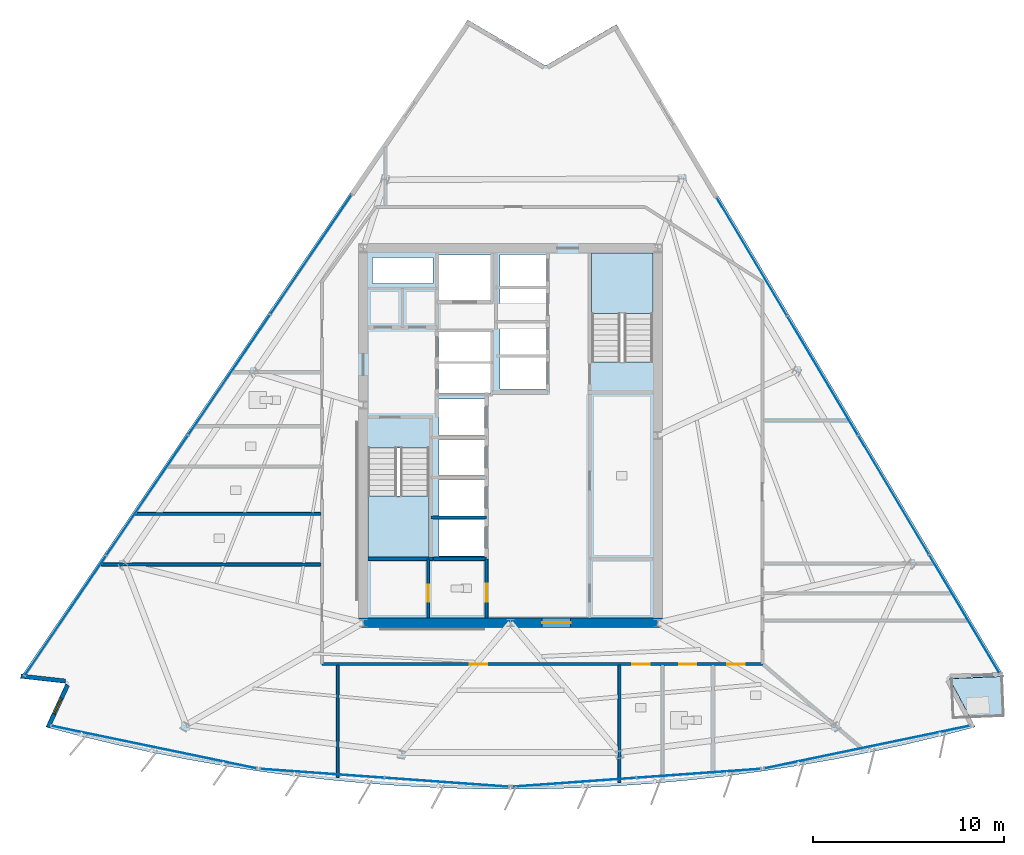
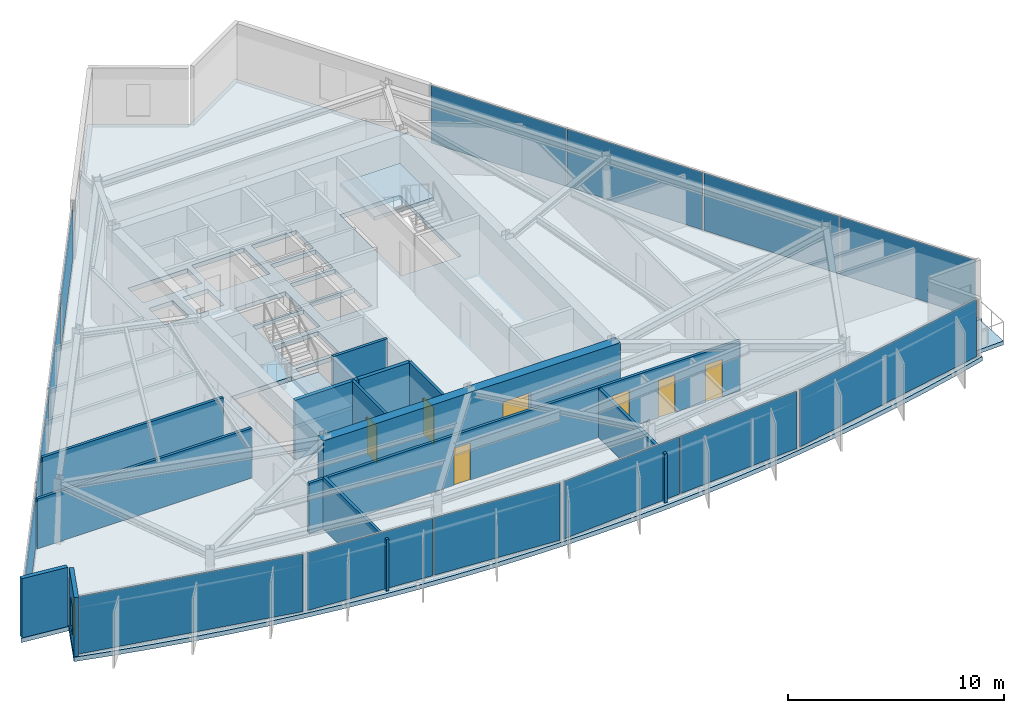
# One storey, part 7 of 15: 14 plates, 13 walls, 7 doors, 4 slabs, 1 window, 8 openings, 8 elements without a shape of their own.
"""IFC4 building model written with IfcOpenShell, lengths in metres."""

from ifc_helpers import new_model, si_unit, direction, frame, frame_2d, origin, origin_2d, place, context, subcontext, project, spatial, polyline, rectangle, outline, extrude, material, layer, layer_set, type_object, element, fill, aggregate, save


model = new_model("IFC4")

# Units and contexts
model_context = context("Model", 3, precision=1e-05, world=origin(), true_north=direction((0.0, 1.0)))
body_context = subcontext(model_context, "Body", "Model", "MODEL_VIEW")
ifc_project = project(units=[si_unit("LENGTHUNIT", "METRE"), si_unit("AREAUNIT", "SQUARE_METRE"), si_unit("VOLUMEUNIT", "CUBIC_METRE"), si_unit("PLANEANGLEUNIT", "RADIAN"), si_unit("MASSUNIT", "GRAM", prefix="KILO")], contexts=[model_context])

# Site, building, storey
site_placement = place(None, origin())
site = spatial("IfcSite", under=ifc_project, at=site_placement, CompositionType="ELEMENT")
building_placement = place(site_placement, origin())
building = spatial("IfcBuilding", under=site, at=building_placement, Name="Savorim Split Tower", CompositionType="ELEMENT")
storey_placement = place(building_placement, frame((0.0, 0.0, 194.699951171875)))
storey = spatial("IfcBuildingStorey", under=building, at=storey_placement, Name="L51", CompositionType="ELEMENT", Elevation=194.699951171875)

# Curtain wall, plate
ifc_material_1 = material(Name="Dark Ceramic-Fritted Insulated Glass", Category="glass")
curtain_wall_type = type_object("IfcCurtainWallType", Name="CW-TWR-FRIT-B", PredefinedType="NOTDEFINED", material=ifc_material_1)
curtain_wall_1_placement = place(storey_placement, origin())
curtain_wall_1 = element("IfcCurtainWall", 1, at=curtain_wall_1_placement, inside=storey, type_object=curtain_wall_type, Name="L51 Curtain Wall CW-L51-SF1", PredefinedType="NOTDEFINED")
ifc_layer_1 = layer(ifc_material_1, 0.02587890625)
ifc_layer_set_1 = layer_set([ifc_layer_1], Name="CWP-FRITB-26")
plate_type = type_object("IfcPlateType", Name="CWP-FRITB-26", PredefinedType="CURTAIN_PANEL", material=ifc_layer_set_1)
plate_1_placement = place(storey_placement, frame((-18.65283203125, -15.901123046875, 0.050048828125), z_axis=(0.0, 0.0, 1.0), x_axis=(0.979135601511, -0.203207957161, 0.0)))
plate_1 = element("IfcPlate", 2, at=plate_1_placement, type_object=plate_type, Name="CW-03 panel 1.1", PredefinedType="CURTAIN_PANEL", context=body_context, shape_type="SweptSolid", body=[
    extrude(rectangle(XDim=10.946533203125, YDim=0.02587890625, at=origin_2d()), origin(), (0.0, 0.0, 1.0), 3.25),
])
aggregate(curtain_wall_1, [plate_1])

# Curtain wall, plates
curtain_wall_2_placement = place(storey_placement, origin())
curtain_wall_2 = element("IfcCurtainWall", 3, at=curtain_wall_2_placement, inside=storey, type_object=curtain_wall_type, Name="L51 Curtain Wall CW-L51-SF2", PredefinedType="NOTDEFINED")
plate_2_placement = place(storey_placement, frame((-9.846923828125, -17.275634765625, 0.050048828125), z_axis=(0.0, 0.0, 1.0), x_axis=(0.997436161804, -0.071561883187, 0.0)))
plate_2 = element("IfcPlate", 4, at=plate_2_placement, type_object=plate_type, Name="CW-03 panel 1.1", PredefinedType="CURTAIN_PANEL", context=body_context, shape_type="SweptSolid", body=[
    extrude(rectangle(XDim=6.46728515625, YDim=0.02587890625, at=origin_2d()), origin(), (0.0, 0.0, 1.0), 3.25),
])
plate_3_placement = place(storey_placement, frame((-3.33642578125, -17.74267578125, 0.050048828125), z_axis=(0.0, 0.0, 1.0), x_axis=(0.997436161804, -0.071561883187, 0.0)))
plate_3 = element("IfcPlate", 5, at=plate_3_placement, type_object=plate_type, Name="CW-03 panel 2.1", PredefinedType="CURTAIN_PANEL", context=body_context, shape_type="SweptSolid", body=[
    extrude(rectangle(XDim=6.46728515625, YDim=0.02587890625, at=origin_2d()), origin(), (0.0, 0.0, 1.0), 3.25),
])
aggregate(curtain_wall_2, [plate_2, plate_3])

curtain_wall_3_placement = place(storey_placement, origin())
curtain_wall_3 = element("IfcCurtainWall", 6, at=curtain_wall_3_placement, inside=storey, type_object=curtain_wall_type, Name="L51 Curtain Wall CW-L51-SF3", PredefinedType="NOTDEFINED")
plate_4_placement = place(storey_placement, frame((3.33642578125, -17.74267578125, 0.050048828125), z_axis=(0.0, 0.0, 1.0), x_axis=(0.997436161804, 0.071561883187, 0.0)))
plate_4 = element("IfcPlate", 7, at=plate_4_placement, type_object=plate_type, Name="CW-03 panel 1.1", PredefinedType="CURTAIN_PANEL", context=body_context, shape_type="SweptSolid", body=[
    extrude(rectangle(XDim=6.46728515625, YDim=0.02587890625, at=origin_2d()), origin(), (0.0, 0.0, 1.0), 3.25),
])
plate_5_placement = place(storey_placement, frame((9.846923828125, -17.275634765625, 0.050048828125), z_axis=(0.0, 0.0, 1.0), x_axis=(0.997436161804, 0.071561883187, 0.0)))
plate_5 = element("IfcPlate", 8, at=plate_5_placement, type_object=plate_type, Name="CW-03 panel 2.1", PredefinedType="CURTAIN_PANEL", context=body_context, shape_type="SweptSolid", body=[
    extrude(rectangle(XDim=6.46728515625, YDim=0.02587890625, at=origin_2d()), origin(), (0.0, 0.0, 1.0), 3.25),
])
aggregate(curtain_wall_3, [plate_4, plate_5])

# Curtain wall, plate
curtain_wall_4_placement = place(storey_placement, origin())
curtain_wall_4 = element("IfcCurtainWall", 9, at=curtain_wall_4_placement, inside=storey, type_object=curtain_wall_type, Name="L51 Curtain Wall CW-L51-SF4", PredefinedType="NOTDEFINED")
plate_6_placement = place(storey_placement, frame((18.65283203125, -15.901123046875, 0.050048828125), z_axis=(0.0, 0.0, 1.0), x_axis=(0.979135601511, 0.203207957161, 0.0)))
plate_6 = element("IfcPlate", 10, at=plate_6_placement, type_object=plate_type, Name="CW-03 panel 1.1", PredefinedType="CURTAIN_PANEL", context=body_context, shape_type="SweptSolid", body=[
    extrude(rectangle(XDim=10.946533203125, YDim=0.02587890625, at=origin_2d()), origin(), (0.0, 0.0, 1.0), 3.25),
])
aggregate(curtain_wall_4, [plate_6])

# Curtain wall, plates
curtain_wall_5_placement = place(storey_placement, origin())
curtain_wall_5 = element("IfcCurtainWall", 11, at=curtain_wall_5_placement, inside=storey, type_object=curtain_wall_type, Name="L51 Curtain Wall CW-L51-EAST", PredefinedType="NOTDEFINED")
plate_7_placement = place(storey_placement, frame((23.739013671875, -8.941162109375, 0.050048828125), z_axis=(0.0, 0.0, 1.0), x_axis=(-0.511092175308, 0.859525909056, 0.0)))
plate_7 = element("IfcPlate", 12, at=plate_7_placement, type_object=plate_type, Name="CW-03 panel 1.1", PredefinedType="CURTAIN_PANEL", context=body_context, shape_type="SweptSolid", body=[
    extrude(rectangle(XDim=7.167724609375, YDim=0.02587890625, at=origin_2d()), origin(), (0.0, 0.0, 1.0), 3.25),
])
plate_8_placement = place(storey_placement, frame((20.037353515625, -2.7158203125, 0.050048828125), z_axis=(0.0, 0.0, 1.0), x_axis=(-0.511092175308, 0.859525909056, 0.0)))
plate_8 = element("IfcPlate", 13, at=plate_8_placement, type_object=plate_type, Name="CW-03 panel 2.1", PredefinedType="CURTAIN_PANEL", context=body_context, shape_type="SweptSolid", body=[
    extrude(rectangle(XDim=7.19775390625, YDim=0.02587890625, at=origin_2d()), origin(), (0.0, 0.0, 1.0), 3.25),
])
plate_9_placement = place(storey_placement, frame((16.328125, 3.522216796875, 0.050048828125), z_axis=(0.0, 0.0, 1.0), x_axis=(-0.511092175308, 0.859525909056, 0.0)))
plate_9 = element("IfcPlate", 14, at=plate_9_placement, type_object=plate_type, Name="CW-03 panel 3.1", PredefinedType="CURTAIN_PANEL", context=body_context, shape_type="SweptSolid", body=[
    extrude(rectangle(XDim=7.19775390625, YDim=0.02587890625, at=origin_2d()), origin(), (0.0, 0.0, 1.0), 3.25),
])
plate_10_placement = place(storey_placement, frame((12.626220703125, 9.74755859375, 0.050048828125), z_axis=(0.0, 0.0, 1.0), x_axis=(-0.511092175308, 0.859525909056, 0.0)))
plate_10 = element("IfcPlate", 15, at=plate_10_placement, type_object=plate_type, Name="CW-03 panel 4.1", PredefinedType="CURTAIN_PANEL", context=body_context, shape_type="SweptSolid", body=[
    extrude(rectangle(XDim=7.167724609375, YDim=0.02587890625, at=origin_2d()), origin(), (0.0, 0.0, 1.0), 3.25),
])
aggregate(curtain_wall_5, [plate_7, plate_8, plate_9, plate_10])

curtain_wall_6_placement = place(storey_placement, origin())
curtain_wall_6 = element("IfcCurtainWall", 16, at=curtain_wall_6_placement, inside=storey, type_object=curtain_wall_type, Name="L51 Curtain Wall CW-L51-WEST", PredefinedType="NOTDEFINED")
plate_11_placement = place(storey_placement, frame((-10.436279296875, 9.86181640625, 0.050048828125), z_axis=(0.0, 0.0, 1.0), x_axis=(-0.562465276773, -0.826820907104, 0.0)))
plate_11 = element("IfcPlate", 17, at=plate_11_placement, type_object=plate_type, Name="CW-03 panel 1.1", PredefinedType="CURTAIN_PANEL", context=body_context, shape_type="SweptSolid", body=[
    extrude(rectangle(XDim=7.533447265625, YDim=0.02587890625, at=origin_2d()), origin(), (0.0, 0.0, 1.0), 3.25),
])
plate_12_placement = place(storey_placement, frame((-14.7158203125, 3.571044921875, 0.050048828125), z_axis=(0.0, 0.0, 1.0), x_axis=(-0.562465276773, -0.826820907104, 0.0)))
plate_12 = element("IfcPlate", 18, at=plate_12_placement, type_object=plate_type, Name="CW-03 panel 2.1", PredefinedType="CURTAIN_PANEL", context=body_context, shape_type="SweptSolid", body=[
    extrude(rectangle(XDim=7.5634765625, YDim=0.02587890625, at=origin_2d()), origin(), (0.0, 0.0, 1.0), 3.25),
])
plate_13_placement = place(storey_placement, frame((-19.003662109375, -2.732421875, 0.050048828125), z_axis=(0.0, 0.0, 1.0), x_axis=(-0.562465276773, -0.826820907104, 0.0)))
plate_13 = element("IfcPlate", 19, at=plate_13_placement, type_object=plate_type, Name="CW-03 panel 3.1", PredefinedType="CURTAIN_PANEL", context=body_context, shape_type="SweptSolid", body=[
    extrude(rectangle(XDim=7.5634765625, YDim=0.02587890625, at=origin_2d()), origin(), (0.0, 0.0, 1.0), 3.25),
])
plate_14_placement = place(storey_placement, frame((-23.283203125, -9.023193359375, 0.050048828125), z_axis=(0.0, 0.0, 1.0), x_axis=(-0.562465276773, -0.826820907104, 0.0)))
plate_14 = element("IfcPlate", 20, at=plate_14_placement, type_object=plate_type, Name="CW-03 panel 4.1", PredefinedType="CURTAIN_PANEL", context=body_context, shape_type="SweptSolid", body=[
    extrude(rectangle(XDim=7.533447265625, YDim=0.02587890625, at=origin_2d()), origin(), (0.0, 0.0, 1.0), 3.25),
])
aggregate(curtain_wall_6, [plate_11, plate_12, plate_13, plate_14])

# Slab
ifc_material_2 = material(Name="Concrete C50/60", Category="concrete")
ifc_layer_2 = layer(ifc_material_2, 0.219970703125)
ifc_layer_set_2 = layer_set([ifc_layer_2], Name="SLB-BAL-220")
slab_type_1 = type_object("IfcSlabType", Name="SLB-BAL-220", PredefinedType="FLOOR", material=ifc_layer_set_2)
slab_1_placement = place(storey_placement, frame((0.0, 0.0, -0.219970703125)))
element("IfcSlab", 21, at=slab_1_placement, inside=storey, type_object=slab_type_1, Name="L51 Notched Corner Planted Tree Balcony Slab", PredefinedType="FLOOR", context=body_context, shape_type="SweptSolid", body=[
    extrude(outline(polyline([(25.697265625, -12.2109375), (23.07470703125, -12.322509765625), (23.08447265625, -12.55419921875), (24.036376953125, -14.32861328125), (25.7841796875, -14.254150390625), (25.697265625, -12.2109375)])), origin(), (0.0, 0.0, 1.0), 0.219970703125),
])

# Stair, slab
stair_type = type_object("IfcStairType", Name="STR-DOG-3600", PredefinedType="HALF_TURN_STAIR", material=ifc_material_2)
stair_1_placement = place(storey_placement, origin())
stair_1 = element("IfcStair", 22, at=stair_1_placement, inside=storey, type_object=stair_type, Name="L51 Core Protected Exit Stair ST-1", PredefinedType="HALF_TURN_STAIR")
ifc_layer_3 = layer(ifc_material_2, 0.199951171875)
ifc_layer_set_3 = layer_set([ifc_layer_3], Name="SLB-LND-200")
slab_type_2 = type_object("IfcSlabType", Name="SLB-LND-200", PredefinedType="LANDING", material=ifc_layer_set_3)
slab_2_placement = place(storey_placement, frame((0.0, 0.0, 1.60009765625)))
slab_2 = element("IfcSlab", 23, at=slab_2_placement, type_object=slab_type_2, Name="ST-1 landing 1", PredefinedType="LANDING", context=body_context, shape_type="SweptSolid", body=[
    extrude(outline(polyline([(-7.449951171875, -2.77001953125), (-7.449951171875, -5.949951171875), (-4.25, -5.949951171875), (-4.25, -2.77001953125), (-7.449951171875, -2.77001953125)])), origin(), (0.0, 0.0, 1.0), 0.199951171875),
])
aggregate(stair_1, [slab_2])

stair_2_placement = place(storey_placement, origin())
stair_2 = element("IfcStair", 24, at=stair_2_placement, inside=storey, type_object=stair_type, Name="L51 Core Protected Exit Stair ST-2", PredefinedType="HALF_TURN_STAIR")
slab_3_placement = place(storey_placement, frame((0.0, 0.0, 1.60009765625)))
slab_3 = element("IfcSlab", 25, at=slab_3_placement, type_object=slab_type_2, Name="ST-2 landing 1", PredefinedType="LANDING", context=body_context, shape_type="SweptSolid", body=[
    extrude(outline(polyline([(7.449951171875, 6.77001953125), (7.449951171875, 9.949951171875), (4.25, 9.949951171875), (4.25, 6.77001953125), (7.449951171875, 6.77001953125)])), origin(), (0.0, 0.0, 1.0), 0.199951171875),
])
aggregate(stair_2, [slab_3])

# Slab
ifc_layer_4 = layer(ifc_material_2, 0.25)
ifc_layer_set_4 = layer_set([ifc_layer_4], Name="SLB-TWR-250")
slab_type_3 = type_object("IfcSlabType", Name="SLB-TWR-250", PredefinedType="FLOOR", material=ifc_layer_set_4)
slab_4_placement = place(storey_placement, frame((0.0, 0.0, -0.25)))
element("IfcSlab", 26, at=slab_4_placement, inside=storey, type_object=slab_type_3, Name="L51 Structural Floor Slab", PredefinedType="FLOOR", context=body_context, shape_type="SweptSolid", body=[
    extrude(outline(polyline([(-24.310302734375, -14.849609375), (-22.479736328125, -15.328369140625), (-20.6396484375, -15.76953125), (-18.791015625, -16.173095703125), (-16.934326171875, -16.53857421875), (-15.070556640625, -16.865966796875), (-13.20068359375, -17.1552734375), (-11.3251953125, -17.40625), (-9.44482421875, -17.618896484375), (-7.560546875, -17.792724609375), (-5.673095703125, -17.92822265625), (-3.783447265625, -18.02490234375), (-1.89208984375, -18.0830078125), (0.0, -18.102294921875), (1.89208984375, -18.0830078125), (3.783447265625, -18.02490234375), (5.673095703125, -17.92822265625), (7.560546875, -17.792724609375), (9.44482421875, -17.618896484375), (11.3251953125, -17.40625), (13.20068359375, -17.1552734375), (15.070556640625, -16.865966796875), (16.934326171875, -16.53857421875), (18.791015625, -16.173095703125), (20.6396484375, -15.76953125), (22.479736328125, -15.328369140625), (24.310302734375, -14.849609375), (22.95458984375, -12.32275390625), (25.81689453125, -12.200927734375), (5.54150390625, 21.897216796875), (1.84033203125, 19.739990234375), (-2.23291015625, 22.134033203125), (-25.65869140625, -12.3017578125), (-23.2626953125, -12.569091796875), (-24.310302734375, -14.849609375)]), holes=[polyline([(-7.449951171875, -0.25390625), (-7.449951171875, -5.949951171875), (-4.25, -5.949951171875), (-4.25, -0.25390625), (-7.449951171875, -0.25390625)]), polyline([(7.449951171875, 4.25390625), (7.449951171875, 9.949951171875), (4.25, 9.949951171875), (4.25, 4.25390625), (7.449951171875, 4.25390625)]), polyline([(-3.75, -5.89990234375), (-1.35009765625, -5.89990234375), (-1.35009765625, -4.0), (-3.75, -4.0), (-3.75, -5.89990234375)]), polyline([(-3.75, -3.800048828125), (-1.35009765625, -3.800048828125), (-1.35009765625, -1.89990234375), (-3.75, -1.89990234375), (-3.75, -3.800048828125)]), polyline([(-3.75, -1.699951171875), (-1.35009765625, -1.699951171875), (-1.35009765625, 0.199951171875), (-3.75, 0.199951171875), (-3.75, -1.699951171875)]), polyline([(-3.75, 0.39990234375), (-1.35009765625, 0.39990234375), (-1.35009765625, 2.300048828125), (-3.75, 2.300048828125), (-3.75, 0.39990234375)]), polyline([(-0.550048828125, 2.830078125), (1.85009765625, 2.830078125), (1.85009765625, 4.469970703125), (-0.550048828125, 4.469970703125), (-0.550048828125, 2.830078125)]), polyline([(-0.550048828125, 4.6298828125), (1.85009765625, 4.6298828125), (1.85009765625, 6.27001953125), (-0.550048828125, 6.27001953125), (-0.550048828125, 4.6298828125)]), polyline([(-0.550048828125, 6.429931640625), (1.85009765625, 6.429931640625), (1.85009765625, 8.070068359375), (-0.550048828125, 8.070068359375), (-0.550048828125, 6.429931640625)]), polyline([(-0.550048828125, 8.22998046875), (1.85009765625, 8.22998046875), (1.85009765625, 9.8701171875), (-0.550048828125, 9.8701171875), (-0.550048828125, 8.22998046875)]), polyline([(-3.75, 2.60009765625), (-1.050048828125, 2.60009765625), (-1.050048828125, 4.159912109375), (-3.75, 4.159912109375), (-3.75, 2.60009765625)]), polyline([(-3.75, 4.280029296875), (-1.050048828125, 4.280029296875), (-1.050048828125, 5.840087890625), (-3.75, 5.840087890625), (-3.75, 4.280029296875)]), polyline([(-3.75, 7.449951171875), (-0.949951171875, 7.449951171875), (-0.949951171875, 9.85009765625), (-3.75, 9.85009765625), (-3.75, 7.449951171875)]), polyline([(-7.219970703125, 6.320068359375), (-5.919921875, 6.320068359375), (-5.919921875, 7.820068359375), (-7.219970703125, 7.820068359375), (-7.219970703125, 6.320068359375)]), polyline([(-5.3798828125, 6.320068359375), (-4.050048828125, 6.320068359375), (-4.050048828125, 7.820068359375), (-5.3798828125, 7.820068359375), (-5.3798828125, 6.320068359375)]), polyline([(-7.219970703125, 8.360107421875), (-4.050048828125, 8.360107421875), (-4.050048828125, 9.719970703125), (-7.219970703125, 9.719970703125), (-7.219970703125, 8.360107421875)])]), origin(), (0.0, 0.0, 1.0), 0.25),
])

# Wall, opening, door
ifc_material_3 = material(Name="Concrete C60/75", Category="concrete")
ifc_layer_5 = layer(ifc_material_3, 0.5)
ifc_layer_set_5 = layer_set([ifc_layer_5], Name="WAL-COR-SH500")
wall_type_1 = type_object("IfcWallType", Name="WAL-COR-SH500", PredefinedType="SHEAR", material=ifc_layer_set_5)
wall_1_placement = place(storey_placement, frame((-7.949951171875, -9.39990234375, 0.0), z_axis=(0.0, 0.0, 1.0), x_axis=(1.0, 0.0, 0.0)))
wall_1 = element("IfcWall", 27, at=wall_1_placement, inside=storey, type_object=wall_type_1, Name="L51 Offset Core South Shear Wall", PredefinedType="SHEAR", context=body_context, shape_type="SweptSolid", body=[
    extrude(rectangle(XDim=15.89990234375, YDim=0.5, at=frame_2d((7.949951171875, 0.0))), origin(), (0.0, 0.0, 1.0), 3.35009765625),
])
opening_1_placement = place(wall_1_placement, frame((9.60009765625, 0.0, 0.0)))
opening_1 = element("IfcOpeningElement", 28, at=opening_1_placement, cuts=wall_1, Name="Opening DI-02", PredefinedType="OPENING", context=body_context, shape_type="SweptSolid", body=[
    extrude(rectangle(XDim=1.5, YDim=2.199951171875, at=frame_2d((0.75, 1.10009765625))), frame((0.0, 0.260009765625, 0.0), z_axis=(0.0, -1.0, 0.0), x_axis=(1.0, 0.0, 0.0)), (0.0, 0.0, 1.0), 0.52001953125),
])
ifc_material_4 = material(Name="Timber Fire Door Leaf", Category="wood")
door_type_1 = type_object("IfcDoorType", Name="DOR-DBL-1500", OperationType="NOTDEFINED", PredefinedType="DOOR", material=ifc_material_4)
door_1_placement = place(opening_1_placement, origin())
door_1 = element("IfcDoor", 29, at=door_1_placement, inside=storey, type_object=door_type_1, Name="DOR-L51-COR-LLOB - L51 Lift Lobby Main Rated Door", OperationType="DOUBLE_DOOR_SINGLE_SWING", OverallHeight=2.199951171875, OverallWidth=1.5, PredefinedType="DOOR", context=body_context, shape_type="SweptSolid", body=[
    extrude(rectangle(XDim=1.5, YDim=2.199951171875, at=frame_2d((0.75, 1.10009765625))), frame((0.0, 0.02490234375, 0.0), z_axis=(0.0, -1.0, 0.0), x_axis=(1.0, 0.0, 0.0)), (0.0, 0.0, 1.0), 0.050048828125),
])
fill(opening_1, door_1)

# Wall
ifc_material_5 = material(Name="Precast concrete C40/50", Category="concrete")
ifc_layer_6 = layer(ifc_material_5, 0.219970703125)
ifc_layer_set_6 = layer_set([ifc_layer_6], Name="WAL-EXT-CRN220")
wall_type_2 = type_object("IfcWallType", Name="WAL-EXT-CRN220", PredefinedType="SOLIDWALL", material=ifc_layer_set_6)
wall_2_placement = place(storey_placement, frame((-23.2890625, -12.445556640625, 0.0), z_axis=(0.0, 0.0, 1.0), x_axis=(-0.993829972675, 0.110914315635, 0.0)))
element("IfcWall", 30, at=wall_2_placement, inside=storey, type_object=wall_type_2, Name="L51 Notched Corner Facade Wall SW1", PredefinedType="SOLIDWALL", context=body_context, shape_type="SweptSolid", body=[
    extrude(rectangle(XDim=2.3310546875, YDim=0.219970703125, at=frame_2d((1.16552734375, 0.0))), origin(), (0.0, 0.0, 1.0), 3.35009765625),
])

# Wall, opening, window
wall_3_placement = place(storey_placement, frame((-24.184814453125, -14.86328125, 0.0), z_axis=(0.0, 0.0, 1.0), x_axis=(0.417509141111, 0.90867272276, 0.0)))
wall_3 = element("IfcWall", 31, at=wall_3_placement, inside=storey, type_object=wall_type_2, Name="L51 Notched Corner Facade Wall SW", PredefinedType="SOLIDWALL", context=body_context, shape_type="SweptSolid", body=[
    extrude(rectangle(XDim=2.4296875, YDim=0.219970703125, at=frame_2d((1.21484375, 0.0))), origin(), (0.0, 0.0, 1.0), 3.35009765625),
])
opening_2_placement = place(wall_3_placement, frame((0.764892578125, 0.0, 0.6201171875)))
opening_2 = element("IfcOpeningElement", 32, at=opening_2_placement, cuts=wall_3, Name="Opening WN-10", PredefinedType="OPENING", context=body_context, shape_type="SweptSolid", body=[
    extrude(rectangle(XDim=0.89990234375, YDim=1.60009765625, at=frame_2d((0.449951171875, 0.800048828125))), frame((0.0, 0.119873046875, 0.0), z_axis=(0.0, -1.0, 0.0), x_axis=(1.0, 0.0, 0.0)), (0.0, 0.0, 1.0), 0.239990234375),
])
ifc_material_6 = material(Name="Low-E Operable Double Glazing", Category="glass")
window_type = type_object("IfcWindowType", Name="WIN-TWR-900x1600", PartitioningType="SINGLE_PANEL", PredefinedType="WINDOW", material=ifc_material_6)
window_placement = place(opening_2_placement, origin())
window = element("IfcWindow", 33, at=window_placement, inside=storey, type_object=window_type, Name="L51 Operable Corner Window SW", OverallHeight=1.60009765625, OverallWidth=0.89990234375, PartitioningType="SINGLE_PANEL", PredefinedType="WINDOW", context=body_context, shape_type="SweptSolid", body=[
    extrude(rectangle(XDim=0.89990234375, YDim=1.60009765625, at=frame_2d((0.449951171875, 0.800048828125))), frame((0.0, 0.030029296875, 0.0), z_axis=(0.0, -1.0, 0.0), x_axis=(1.0, 0.0, 0.0)), (0.0, 0.0, 1.0), 0.06005859375),
])
fill(opening_2, window)

# Walls
ifc_layer_7 = layer(ifc_material_2, 0.199951171875)
ifc_layer_set_7 = layer_set([ifc_layer_7], Name="WAL-INT-RC200")
wall_type_3 = type_object("IfcWallType", Name="WAL-INT-RC200", PredefinedType="SOLIDWALL", material=ifc_layer_set_7)
wall_4_placement = place(storey_placement, frame((-7.449951171875, -6.050048828125, 0.0), z_axis=(0.0, 0.0, 1.0), x_axis=(1.0, 0.0, 0.0)))
element("IfcWall", 34, at=wall_4_placement, inside=storey, type_object=wall_type_3, Name="L51 Structural Shaft Wall W-L51-KSEP-W", PredefinedType="SOLIDWALL", context=body_context, shape_type="SweptSolid", body=[
    extrude(rectangle(XDim=3.39990234375, YDim=0.199951171875, at=frame_2d((1.699951171875, 0.0))), origin(), (0.0, 0.0, 1.0), 3.35009765625),
])
wall_5_placement = place(storey_placement, frame((-4.0400390625, -6.050048828125, 0.0), z_axis=(0.0, 0.0, 1.0), x_axis=(1.0, 0.0, 0.0)))
element("IfcWall", 35, at=wall_5_placement, inside=storey, type_object=wall_type_3, Name="L51 Partition W-L51-KSEP-W2", PredefinedType="SOLIDWALL", context=body_context, shape_type="SweptSolid", body=[
    extrude(rectangle(XDim=2.7900390625, YDim=0.199951171875, at=frame_2d((1.39501953125, 0.0))), origin(), (0.0, 0.0, 1.0), 3.35009765625),
])
ifc_material_7 = material(Name="Acoustic Gypsum Partition Board")
ifc_layer_8 = layer(ifc_material_7, 0.14990234375)
ifc_layer_set_8 = layer_set([ifc_layer_8], Name="WAL-PAR-150")
wall_type_4 = type_object("IfcWallType", Name="WAL-PAR-150", PredefinedType="PARTITIONING", material=ifc_layer_set_8)
wall_6_placement = place(storey_placement, frame((-4.14990234375, -3.89990234375, 0.0), z_axis=(0.0, 0.0, 1.0), x_axis=(1.0, 0.0, 0.0)))
element("IfcWall", 36, at=wall_6_placement, inside=storey, type_object=wall_type_4, Name="L51 Partition W-L51-B2DIV1", PredefinedType="PARTITIONING", context=body_context, shape_type="SweptSolid", body=[
    extrude(rectangle(XDim=2.89990234375, YDim=0.14990234375, at=frame_2d((1.449951171875, 0.0))), origin(), (0.0, 0.0, 1.0), 3.35009765625),
])

# Wall, opening, door
wall_7_placement = place(storey_placement, frame((-1.25, -9.14501953125, 0.0), z_axis=(0.0, 0.0, 1.0), x_axis=(0.0, 1.0, 0.0)))
wall_7 = element("IfcWall", 37, at=wall_7_placement, inside=storey, type_object=wall_type_4, Name="L51 Partition W-L51-KLOB-W", PredefinedType="PARTITIONING", context=body_context, shape_type="SweptSolid", body=[
    extrude(rectangle(XDim=3.094970703125, YDim=0.14990234375, at=frame_2d((1.54736328125, 0.0))), origin(), (0.0, 0.0, 1.0), 3.35009765625),
])
opening_3_placement = place(wall_7_placement, frame((0.844970703125, 0.0, 0.0)))
opening_3 = element("IfcOpeningElement", 38, at=opening_3_placement, cuts=wall_7, Name="Opening DI-10", PredefinedType="OPENING", context=body_context, shape_type="SweptSolid", body=[
    extrude(rectangle(XDim=0.949951171875, YDim=2.10009765625, at=frame_2d((0.47509765625, 1.050048828125))), frame((0.0, 0.0849609375, 0.0), z_axis=(0.0, -1.0, 0.0), x_axis=(1.0, 0.0, 0.0)), (0.0, 0.0, 1.0), 0.169921875),
])
ifc_material_8 = material(Name="Oak Veneer Acoustic Door")
door_type_2 = type_object("IfcDoorType", Name="DOR-WC-950", OperationType="NOTDEFINED", PredefinedType="DOOR", material=ifc_material_8)
door_2_placement = place(opening_3_placement, origin())
door_2 = element("IfcDoor", 39, at=door_2_placement, inside=storey, type_object=door_type_2, Name="DR-L51-K1WC - L51 Core Accessible WC Door", OperationType="SINGLE_SWING_LEFT", OverallHeight=2.10009765625, OverallWidth=0.949951171875, PredefinedType="DOOR", context=body_context, shape_type="SweptSolid", body=[
    extrude(rectangle(XDim=0.949951171875, YDim=2.10009765625, at=frame_2d((0.47509765625, 1.050048828125))), frame((0.0, 0.02490234375, 0.0), z_axis=(0.0, -1.0, 0.0), x_axis=(1.0, 0.0, 0.0)), (0.0, 0.0, 1.0), 0.050048828125),
])
fill(opening_3, door_2)

wall_8_placement = place(storey_placement, frame((-4.300048828125, -9.14501953125, 0.0), z_axis=(0.0, 0.0, 1.0), x_axis=(0.0, 1.0, 0.0)))
wall_8 = element("IfcWall", 40, at=wall_8_placement, inside=storey, type_object=wall_type_4, Name="L51 Partition W-L51-K1W", PredefinedType="PARTITIONING", context=body_context, shape_type="SweptSolid", body=[
    extrude(rectangle(XDim=3.094970703125, YDim=0.14990234375, at=frame_2d((1.54736328125, 0.0))), origin(), (0.0, 0.0, 1.0), 3.35009765625),
])
opening_4_placement = place(wall_8_placement, frame((0.844970703125, 0.0, 0.0)))
opening_4 = element("IfcOpeningElement", 41, at=opening_4_placement, cuts=wall_8, Name="Opening DI-06", PredefinedType="OPENING", context=body_context, shape_type="SweptSolid", body=[
    extrude(rectangle(XDim=0.89990234375, YDim=2.10009765625, at=frame_2d((0.449951171875, 1.050048828125))), frame((0.0, 0.0849609375, 0.0), z_axis=(0.0, -1.0, 0.0), x_axis=(1.0, 0.0, 0.0)), (0.0, 0.0, 1.0), 0.169921875),
])
door_type_3 = type_object("IfcDoorType", Name="DOR-FIR-900", OperationType="NOTDEFINED", PredefinedType="DOOR", material=ifc_material_4)
door_3_placement = place(opening_4_placement, origin())
door_3 = element("IfcDoor", 42, at=door_3_placement, inside=storey, type_object=door_type_3, Name="DR-L51-K1HK - L51 Housekeeping Store Door", OperationType="SINGLE_SWING_RIGHT", OverallHeight=2.10009765625, OverallWidth=0.89990234375, PredefinedType="DOOR", context=body_context, shape_type="SweptSolid", body=[
    extrude(rectangle(XDim=0.89990234375, YDim=2.10009765625, at=frame_2d((0.449951171875, 1.050048828125))), frame((0.0, 0.02490234375, 0.0), z_axis=(0.0, -1.0, 0.0), x_axis=(1.0, 0.0, 0.0)), (0.0, 0.0, 1.0), 0.050048828125),
])
fill(opening_4, door_3)

# Wall, openings, doors
wall_9_placement = place(storey_placement, frame((13.179931640625, -11.56005859375, 0.0), z_axis=(0.0, 0.0, 1.0), x_axis=(-1.0, 0.0, 0.0)))
wall_9 = element("IfcWall", 43, at=wall_9_placement, inside=storey, type_object=wall_type_4, Name="L51 Partition W-L51-COR-06", PredefinedType="PARTITIONING", context=body_context, shape_type="SweptSolid", body=[
    extrude(rectangle(XDim=23.0400390625, YDim=0.14990234375, at=frame_2d((11.52001953125, 0.0))), origin(), (0.0, 0.0, 1.0), 2.824951171875),
])
opening_5_placement = place(wall_9_placement, frame((14.39892578125, 0.0, 0.0)))
opening_5 = element("IfcOpeningElement", 44, at=opening_5_placement, cuts=wall_9, Name="Opening DI-06", PredefinedType="OPENING", context=body_context, shape_type="SweptSolid", body=[
    extrude(rectangle(XDim=0.89990234375, YDim=2.10009765625, at=frame_2d((0.449951171875, 1.050048828125))), frame((0.0, 0.0849609375, 0.0), z_axis=(0.0, -1.0, 0.0), x_axis=(1.0, 0.0, 0.0)), (0.0, 0.0, 1.0), 0.169921875),
])
opening_6_placement = place(wall_9_placement, frame((5.90478515625, 0.0, 0.0)))
opening_6 = element("IfcOpeningElement", 45, at=opening_6_placement, cuts=wall_9, Name="Opening DI-06", PredefinedType="OPENING", context=body_context, shape_type="SweptSolid", body=[
    extrude(rectangle(XDim=0.89990234375, YDim=2.10009765625, at=frame_2d((0.449951171875, 1.050048828125))), frame((0.0, 0.0849609375, 0.0), z_axis=(0.0, -1.0, 0.0), x_axis=(1.0, 0.0, 0.0)), (0.0, 0.0, 1.0), 0.169921875),
])
opening_7_placement = place(wall_9_placement, frame((3.458251953125, 0.0, 0.0)))
opening_7 = element("IfcOpeningElement", 46, at=opening_7_placement, cuts=wall_9, Name="Opening DI-11", PredefinedType="OPENING", context=body_context, shape_type="SweptSolid", body=[
    extrude(rectangle(XDim=0.89990234375, YDim=2.10009765625, at=frame_2d((0.449951171875, 1.050048828125))), frame((0.0, 0.0849609375, 0.0), z_axis=(0.0, -1.0, 0.0), x_axis=(1.0, 0.0, 0.0)), (0.0, 0.0, 1.0), 0.169921875),
])
opening_8_placement = place(wall_9_placement, frame((0.932861328125, 0.0, 0.0)))
opening_8 = element("IfcOpeningElement", 47, at=opening_8_placement, cuts=wall_9, Name="Opening DI-06", PredefinedType="OPENING", context=body_context, shape_type="SweptSolid", body=[
    extrude(rectangle(XDim=0.89990234375, YDim=2.10009765625, at=frame_2d((0.449951171875, 1.050048828125))), frame((0.0, 0.0849609375, 0.0), z_axis=(0.0, -1.0, 0.0), x_axis=(1.0, 0.0, 0.0)), (0.0, 0.0, 1.0), 0.169921875),
])
door_4_placement = place(opening_5_placement, origin())
door_4 = element("IfcDoor", 48, at=door_4_placement, inside=storey, type_object=door_type_3, Name="DR-L51-RM05 - L51 Co-Working Commons Entry Door", OperationType="SINGLE_SWING_RIGHT", OverallHeight=2.10009765625, OverallWidth=0.89990234375, PredefinedType="DOOR", context=body_context, shape_type="SweptSolid", body=[
    extrude(rectangle(XDim=0.89990234375, YDim=2.10009765625, at=frame_2d((0.449951171875, 1.050048828125))), frame((0.0, 0.02490234375, 0.0), z_axis=(0.0, -1.0, 0.0), x_axis=(1.0, 0.0, 0.0)), (0.0, 0.0, 1.0), 0.050048828125),
])
fill(opening_5, door_4)
door_5_placement = place(opening_6_placement, origin())
door_5 = element("IfcDoor", 49, at=door_5_placement, inside=storey, type_object=door_type_3, Name="DR-L51-RM06 - L51 Shared Kitchen Entry Door", OperationType="SINGLE_SWING_LEFT", OverallHeight=2.10009765625, OverallWidth=0.89990234375, PredefinedType="DOOR", context=body_context, shape_type="SweptSolid", body=[
    extrude(rectangle(XDim=0.89990234375, YDim=2.10009765625, at=frame_2d((0.449951171875, 1.050048828125))), frame((0.0, 0.02490234375, 0.0), z_axis=(0.0, -1.0, 0.0), x_axis=(1.0, 0.0, 0.0)), (0.0, 0.0, 1.0), 0.050048828125),
])
fill(opening_6, door_5)
door_6_placement = place(opening_8_placement, origin())
door_6 = element("IfcDoor", 50, at=door_6_placement, inside=storey, type_object=door_type_3, Name="DR-L51-RM08 - L51 Shared Kitchen Entry Door", OperationType="SINGLE_SWING_LEFT", OverallHeight=2.10009765625, OverallWidth=0.89990234375, PredefinedType="DOOR", context=body_context, shape_type="SweptSolid", body=[
    extrude(rectangle(XDim=0.89990234375, YDim=2.10009765625, at=frame_2d((0.449951171875, 1.050048828125))), frame((0.0, 0.02490234375, 0.0), z_axis=(0.0, -1.0, 0.0), x_axis=(1.0, 0.0, 0.0)), (0.0, 0.0, 1.0), 0.050048828125),
])
fill(opening_8, door_6)
door_type_4 = type_object("IfcDoorType", Name="DOR-WC-900", OperationType="NOTDEFINED", PredefinedType="DOOR", material=ifc_material_8)
door_7_placement = place(opening_7_placement, origin())
door_7 = element("IfcDoor", 51, at=door_7_placement, inside=storey, type_object=door_type_4, Name="DR-L51-RM07 - L51 Shared Bathroom Entry Door", OperationType="SINGLE_SWING_RIGHT", OverallHeight=2.10009765625, OverallWidth=0.89990234375, PredefinedType="DOOR", context=body_context, shape_type="SweptSolid", body=[
    extrude(rectangle(XDim=0.89990234375, YDim=2.10009765625, at=frame_2d((0.449951171875, 1.050048828125))), frame((0.0, 0.02490234375, 0.0), z_axis=(0.0, -1.0, 0.0), x_axis=(1.0, 0.0, 0.0)), (0.0, 0.0, 1.0), 0.050048828125),
])
fill(opening_7, door_7)

# Walls
wall_10_placement = place(storey_placement, frame((5.69921875, -11.6201171875, 0.0), z_axis=(0.0, 0.0, 1.0), x_axis=(0.0, -1.0, 0.0)))
element("IfcWall", 52, at=wall_10_placement, inside=storey, type_object=wall_type_4, Name="L51 Partition W-L51-PRAD03", PredefinedType="PARTITIONING", context=body_context, shape_type="SweptSolid", body=[
    extrude(rectangle(XDim=6.1357421875, YDim=0.14990234375, at=frame_2d((3.06787109375, 0.0))), origin(), (0.0, 0.0, 1.0), 2.775146484375),
])
wall_11_placement = place(storey_placement, frame((-9.919921875, -6.35205078125, 0.0), z_axis=(0.0, 0.0, 1.0), x_axis=(-1.0, 0.0, 0.0)))
element("IfcWall", 53, at=wall_11_placement, inside=storey, type_object=wall_type_4, Name="L51 Partition W-L51-PRAD10", PredefinedType="PARTITIONING", context=body_context, shape_type="SweptSolid", body=[
    extrude(rectangle(XDim=11.48583984375, YDim=0.14990234375, at=frame_2d((5.742919921875, 0.0))), origin(), (0.0, 0.0, 1.0), 2.824951171875),
])
wall_12_placement = place(storey_placement, frame((-9.919921875, -3.703369140625, 0.0), z_axis=(0.0, 0.0, 1.0), x_axis=(-0.999999999682, 2.5211143e-05, 0.0)))
element("IfcWall", 54, at=wall_12_placement, inside=storey, type_object=wall_type_4, Name="L51 Partition W-L51-SUB04", PredefinedType="PARTITIONING", context=body_context, shape_type="SweptSolid", body=[
    extrude(rectangle(XDim=9.683837890625, YDim=0.14990234375, at=frame_2d((4.841796875, 0.0))), origin(), (0.0, 0.0, 1.0), 2.93505859375),
])
wall_13_placement = place(storey_placement, frame((-9.037109375, -11.6201171875, 0.0), z_axis=(0.0, 0.0, 1.0), x_axis=(0.0, -1.0, 0.0)))
element("IfcWall", 55, at=wall_13_placement, inside=storey, type_object=wall_type_4, Name="L51 Partition W-L51-SUB05", PredefinedType="PARTITIONING", context=body_context, shape_type="SweptSolid", body=[
    extrude(rectangle(XDim=5.865478515625, YDim=0.14990234375, at=frame_2d((2.9326171875, 0.0))), origin(), (0.0, 0.0, 1.0), 2.93505859375),
])

save(model, "model.ifc")
